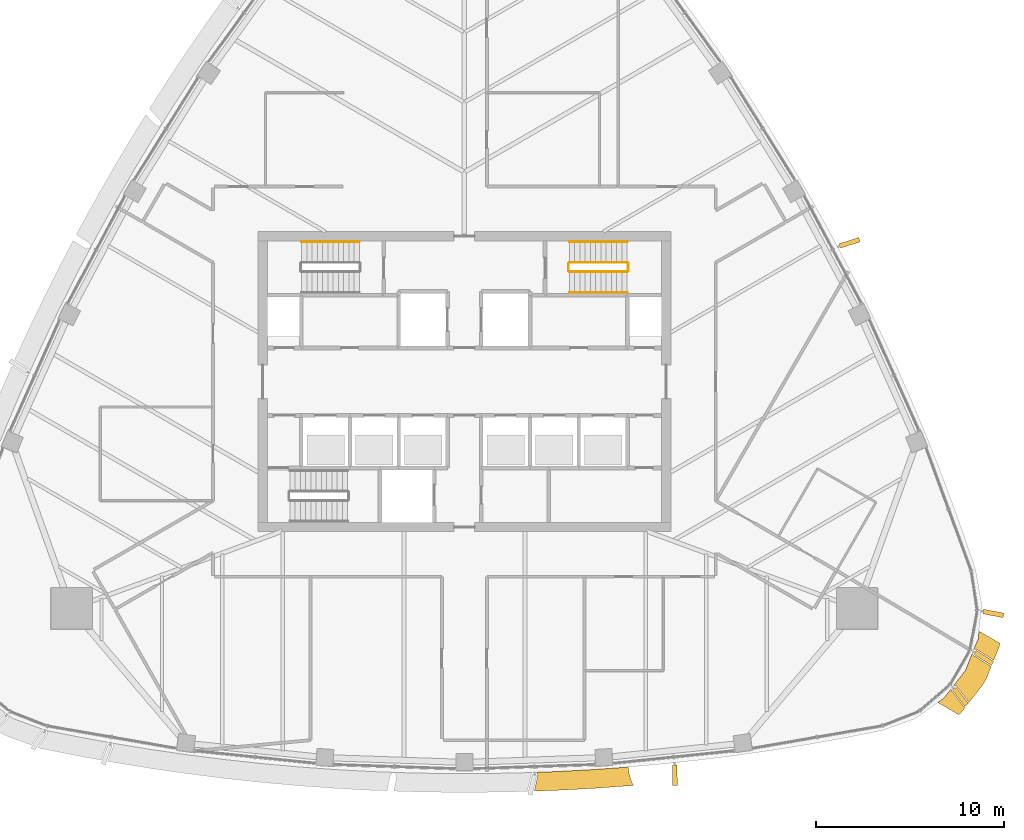
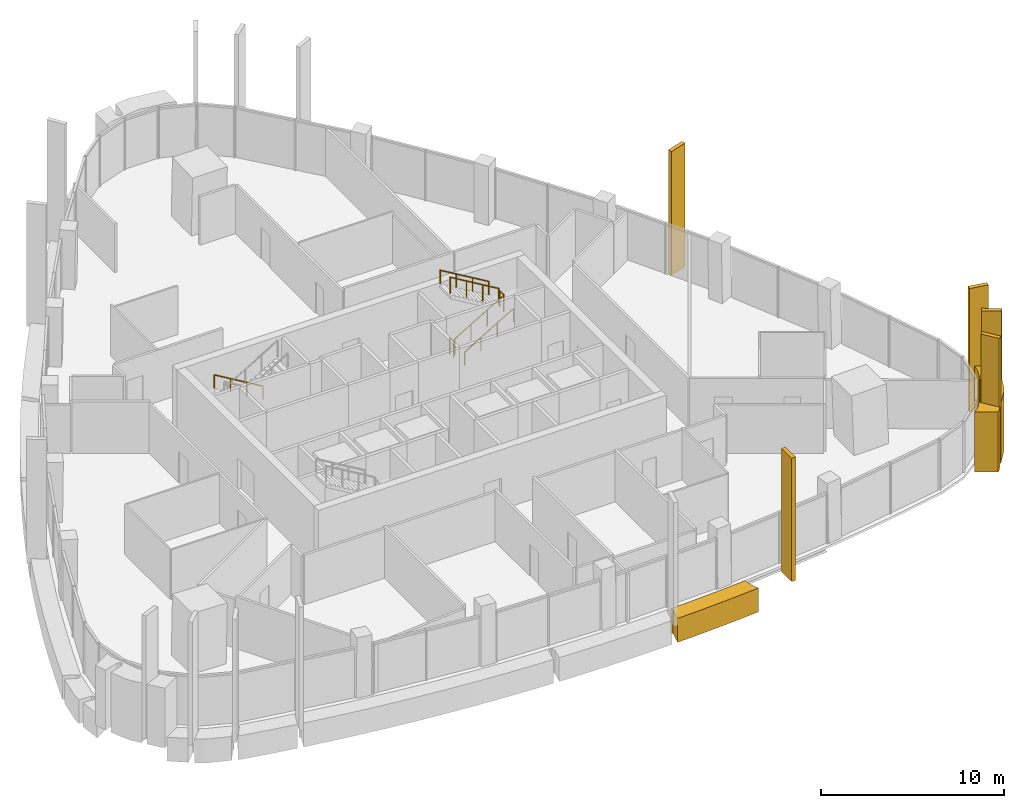
# One storey, part 16 of 18: 9 coverings, 7 railings.
"""IFC4 building model written with IfcOpenShell, lengths in metres."""

import ifcopenshell
import ifcopenshell.guid

model = None  # the IFC model being written
_history = None  # IfcOwnerHistory: only IFC2X3 demands one
_inside = {}  # id of a spatial element -> (the spatial element, [elements in it])
_under = {}  # id of a project, library or spatial element -> (it, [spatial elements below it])
_declared = {}  # id of a project -> (the project, [libraries it declares])
_typed = {}  # id of a type object -> (the type object, [elements of that type])
_made_of = {}  # id of a material, layer set ... -> (it, [elements and type objects made of it])


def new_model(schema):
    """Start an empty IFC model of exactly this schema.

    Asked for "IFC4X3", IfcOpenShell would pick the latest addendum, in which some entities
    have other attributes; the version numbers below select the first issue.
    IFC2X3 requires an IfcOwnerHistory on every rooted entity: one is made here for all.
    """
    global model, _history
    if schema == "IFC4X3":
        model = ifcopenshell.file(schema_version=(4, 3, 0, 0))
    else:
        model = ifcopenshell.file(schema=schema)
    _inside.clear()
    _under.clear()
    _declared.clear()
    _typed.clear()
    _made_of.clear()
    _history = None
    if model.schema == "IFC2X3":
        org = make("IfcOrganization", Name="unknown")
        user = make(
            "IfcPersonAndOrganization",
            ThePerson=make("IfcPerson", FamilyName="unknown"),
            TheOrganization=org,
        )
        app = make(
            "IfcApplication",
            ApplicationDeveloper=org,
            Version="unknown",
            ApplicationFullName="unknown",
            ApplicationIdentifier="unknown",
        )
        _history = make(
            "IfcOwnerHistory",
            OwningUser=user,
            OwningApplication=app,
            ChangeAction="ADDED",
            CreationDate=0,
        )
    return model


def make(cls, **values):
    """One entity of the class cls with the attributes given. An attribute that is None is left unset."""
    return model.create_entity(
        cls, **{name: value for name, value in values.items() if value is not None}
    )


def rooted(cls, **values):
    """An entity with a GlobalId (a new one), such as an element, a storey or a relation."""
    return make(cls, GlobalId=ifcopenshell.guid.new(), OwnerHistory=_history, **values)


def si_unit(unit_type, name, prefix=None):
    """IfcSIUnit, for example si_unit("LENGTHUNIT", "METRE", prefix="MILLI")."""
    return make("IfcSIUnit", UnitType=unit_type, Prefix=prefix, Name=name)


def assignment(units):
    """IfcUnitAssignment: the units of a project."""
    return None if units is None else make("IfcUnitAssignment", Units=units)


def point(xyz):
    """IfcCartesianPoint."""
    return None if xyz is None else make("IfcCartesianPoint", Coordinates=xyz)


def direction(xyz):
    """IfcDirection."""
    return None if xyz is None else make("IfcDirection", DirectionRatios=xyz)


def frame(location, z_axis=None, x_axis=None):
    """IfcAxis2Placement3D, a coordinate frame: its origin and axes. An axis left out is left unset."""
    return make(
        "IfcAxis2Placement3D",
        Location=point(location),
        Axis=direction(z_axis),
        RefDirection=direction(x_axis),
    )


def frame_2d(location, x_axis=None):
    """IfcAxis2Placement2D, a coordinate frame in the plane: its origin and x axis."""
    return make(
        "IfcAxis2Placement2D", Location=point(location), RefDirection=direction(x_axis)
    )


def origin():
    """The frame at (0, 0, 0) with its axes left unset."""
    return frame((0.0, 0.0, 0.0))


def origin_2d():
    """The frame at (0, 0) in the plane with its x axis left unset."""
    return frame_2d((0.0, 0.0))


def place(relative_to, where):
    """IfcLocalPlacement: puts the frame where relative to a parent placement (None: the world)."""
    return make(
        "IfcLocalPlacement", PlacementRelTo=relative_to, RelativePlacement=where
    )


def context(
    kind, dimensions, precision=None, world=None, true_north=None, identifier=None
):
    """IfcGeometricRepresentationContext, for example the 3D "Model" context."""
    return make(
        "IfcGeometricRepresentationContext",
        ContextIdentifier=identifier,
        ContextType=kind,
        CoordinateSpaceDimension=dimensions,
        Precision=precision,
        WorldCoordinateSystem=world,
        TrueNorth=true_north,
    )


def subcontext(parent, identifier, kind, view, scale=None):
    """IfcGeometricRepresentationSubContext, for example "Body" below "Model"."""
    return make(
        "IfcGeometricRepresentationSubContext",
        ContextIdentifier=identifier,
        ContextType=kind,
        ParentContext=parent,
        TargetScale=scale,
        TargetView=view,
    )


def project(units=None, contexts=None):
    """IfcProject with its units and contexts."""
    return rooted(
        "IfcProject",
        Name="project",
        RepresentationContexts=contexts,
        UnitsInContext=assignment(units),
    )


def spatial(cls, under=None, at=None, **own):
    """A site, building, storey or space (cls), placed at a placement, below another one or the project."""
    s = rooted(cls, ObjectPlacement=at, **own)
    if under is not None:
        _under.setdefault(under.id(), (under, []))[1].append(s)
    return s


def polyline(points):
    """IfcPolyline through the points."""
    return make("IfcPolyline", Points=[point(p) for p in points])


def profile(cls, at=None, kind="AREA", **sizes):
    """A parametric profile (cls). Its sizes go by their IFC names, for example OverallWidth=200.0."""
    return make(cls, ProfileType=kind, Position=at, **sizes)


def rectangle(**sizes):
    """IfcRectangleProfileDef."""
    return profile("IfcRectangleProfileDef", **sizes)


def circle(**sizes):
    """IfcCircleProfileDef."""
    return profile("IfcCircleProfileDef", **sizes)


def outline(outer, holes=None, kind="AREA"):
    """IfcArbitraryClosedProfileDef: a profile drawn as a closed curve; with holes, ...WithVoids."""
    if holes is None:
        return make("IfcArbitraryClosedProfileDef", ProfileType=kind, OuterCurve=outer)
    return make(
        "IfcArbitraryProfileDefWithVoids",
        ProfileType=kind,
        OuterCurve=outer,
        InnerCurves=holes,
    )


def extrude(swept, where, along, depth):
    """IfcExtrudedAreaSolid: the profile swept, set in the frame where, extruded along a direction by depth."""
    return make(
        "IfcExtrudedAreaSolid",
        SweptArea=swept,
        Position=where,
        ExtrudedDirection=direction(along),
        Depth=depth,
    )


def shape(context_of_items, identifier, shape_type, items):
    """IfcShapeRepresentation: the items that make up one representation, for example the "Body"."""
    return make(
        "IfcShapeRepresentation",
        ContextOfItems=context_of_items,
        RepresentationIdentifier=identifier,
        RepresentationType=shape_type,
        Items=items,
    )


def material(Name=None, Category=None):
    """IfcMaterial."""
    return make("IfcMaterial", Name=Name, Category=Category)


def layer(
    of_material, thickness, ventilated=None, Name=None, Category=None, Priority=None
):
    """IfcMaterialLayer: one layer of a wall or slab, of a material (None: an air gap)."""
    return make(
        "IfcMaterialLayer",
        Material=of_material,
        LayerThickness=thickness,
        IsVentilated=ventilated,
        Name=Name,
        Category=Category,
        Priority=Priority,
    )


def layer_set(layers, Name=None):
    """IfcMaterialLayerSet."""
    return make("IfcMaterialLayerSet", MaterialLayers=layers, LayerSetName=Name)


def material_profile(
    of_material, cross_section, Name=None, Category=None, Priority=None
):
    """IfcMaterialProfile: a cross section and its material."""
    return make(
        "IfcMaterialProfile",
        Name=Name,
        Material=of_material,
        Profile=cross_section,
        Priority=Priority,
        Category=Category,
    )


def profile_set(profiles, Name=None, composite=None):
    """IfcMaterialProfileSet."""
    return make(
        "IfcMaterialProfileSet",
        Name=Name,
        MaterialProfiles=profiles,
        CompositeProfile=composite,
    )


def made_of(thing, what):
    """Note that an element or type object is made of a material, layer set ...; save() writes the relation."""
    if what is not None:
        _made_of.setdefault(what.id(), (what, []))[1].append(thing)
    return thing


def type_object(cls, material=None, **own):
    """A type object (cls), such as IfcWallType, which elements share."""
    return made_of(rooted(cls, **own), material)


def element(
    cls,
    number,
    at=None,
    inside=None,
    cuts=None,
    type_object=None,
    material=None,
    context=None,
    identifier="Body",
    shape_type=None,
    held_by="IfcProductDefinitionShape",
    body=None,
    shapes=None,
    **own,
):
    """One element of the class cls, such as IfcWall. Its Tag is "e" and its number.

    at: its placement. inside: the storey or other place that contains it. cuts: it is an
    opening in that element (IfcRelVoidsElement). A single representation is given by context,
    identifier, shape_type and body (its items); several are given by shapes. held_by: the class
    of the entity that holds the representations. save() writes the other relations.
    """
    e = rooted(cls, Tag="e%d" % number, ObjectPlacement=at, **own)
    if body is not None:
        shapes = [shape(context, identifier, shape_type, body)]
    if shapes is not None:
        e.Representation = make(held_by, Representations=shapes)
    if inside is not None:
        _inside.setdefault(inside.id(), (inside, []))[1].append(e)
    if cuts is not None:
        rooted(
            "IfcRelVoidsElement", RelatingBuildingElement=cuts, RelatedOpeningElement=e
        )
    if type_object is not None:
        _typed.setdefault(type_object.id(), (type_object, []))[1].append(e)
    return made_of(e, material)


def aggregate(whole, parts):
    """IfcRelAggregates: a whole, such as a stair, and the parts it consists of."""
    return rooted("IfcRelAggregates", RelatingObject=whole, RelatedObjects=parts)


def save(model, path):
    """Write the relations noted so far, then the file.

    IfcRelAggregates (storeys below a building ...), IfcRelContainedInSpatialStructure (elements
    in a storey), IfcRelDefinesByType, IfcRelAssociatesMaterial and IfcRelDeclares: one each for
    every whole, place, type object, material and project.
    """
    for whole, parts in _under.values():
        aggregate(whole, parts)
    for where, things in _inside.values():
        rooted(
            "IfcRelContainedInSpatialStructure",
            RelatedElements=things,
            RelatingStructure=where,
        )
    for kind, things in _typed.values():
        rooted("IfcRelDefinesByType", RelatedObjects=things, RelatingType=kind)
    for what, things in _made_of.values():
        rooted("IfcRelAssociatesMaterial", RelatedObjects=things, RelatingMaterial=what)
    for by, libraries in _declared.values():
        rooted("IfcRelDeclares", RelatingContext=by, RelatedDefinitions=libraries)
    model.write(path)


model = new_model("IFC4")

# Units and contexts
model_context = context("Model", 3, precision=1e-05, world=origin(), true_north=direction((0.0, 1.0)))
body_context = subcontext(model_context, "Body", "Model", "MODEL_VIEW")
ifc_project = project(units=[si_unit("LENGTHUNIT", "METRE"), si_unit("AREAUNIT", "SQUARE_METRE"), si_unit("VOLUMEUNIT", "CUBIC_METRE"), si_unit("PLANEANGLEUNIT", "RADIAN"), si_unit("MASSUNIT", "GRAM", prefix="KILO")], contexts=[model_context])

# Site, building, storey
site_placement = place(None, origin())
site = spatial("IfcSite", under=ifc_project, at=site_placement, CompositionType="ELEMENT")
building_placement = place(site_placement, origin())
building = spatial("IfcBuilding", under=site, at=building_placement, Name="Sierra Prisma Convention Tower", CompositionType="ELEMENT")
storey_placement = place(building_placement, frame((0.0, 0.0, 279.0)))
storey = spatial("IfcBuildingStorey", under=building, at=storey_placement, Name="L63", CompositionType="ELEMENT", Elevation=279.0)

# Coverings
ifc_material_1 = material(Name="Aluminium composite bronze anodised", Category="aluminium")
ifc_layer_1 = layer(ifc_material_1, 1.199951171875)
ifc_layer_set_1 = layer_set([ifc_layer_1], Name="Bronze corner pier")
covering_type_1 = type_object("IfcCoveringType", Name="Bronze corner pier", PredefinedType="CLADDING", material=ifc_layer_set_1)
covering_1_placement = place(storey_placement, frame((0.0, 0.0, -0.60009765625)))
element("IfcCovering", 1, at=covering_1_placement, inside=storey, type_object=covering_type_1, Name="Corner pier SE L63.1", PredefinedType="CLADDING", context=body_context, shape_type="SweptSolid", body=[
    extrude(outline(polyline([(27.0673828125, -14.4921875), (27.11181640625, -14.565185546875), (27.114501953125, -14.569091796875), (27.1171875, -14.572509765625), (27.12060546875, -14.575927734375), (27.124267578125, -14.578857421875), (27.1279296875, -14.58154296875), (28.061279296875, -15.163818359375), (28.0654296875, -15.166259765625), (28.06982421875, -15.168212890625), (28.07470703125, -15.169921875), (28.079345703125, -15.1708984375), (28.084228515625, -15.17138671875), (28.08740234375, -15.17138671875), (27.808837890625, -15.86181640625), (27.64111328125, -16.15234375), (26.893798828125, -17.10791015625), (26.24951171875, -16.251953125), (26.246337890625, -16.248291015625), (26.242919921875, -16.24462890625), (26.239013671875, -16.24169921875), (26.23486328125, -16.239013671875), (26.230224609375, -16.236572265625), (26.2255859375, -16.234619140625), (26.220947265625, -16.2333984375), (26.080078125, -16.200439453125), (26.696044921875, -15.412841796875), (27.0673828125, -14.4921875)])), origin(), (0.0, 0.0, 1.0), 4.0),
])
covering_2_placement = place(storey_placement, frame((0.0, 0.0, -0.60009765625)))
element("IfcCovering", 2, at=covering_2_placement, inside=storey, type_object=covering_type_1, Name="Corner pier SE L63.2", PredefinedType="CLADDING", context=body_context, shape_type="SweptSolid", body=[
    extrude(outline(polyline([(27.29150390625, -14.277099609375), (27.286865234375, -14.277099609375), (27.2822265625, -14.277099609375), (27.149169921875, -14.28955078125), (27.388916015625, -13.695068359375), (27.43017578125, -13.29638671875), (28.551513671875, -13.94384765625), (28.501708984375, -14.14404296875), (28.217529296875, -14.848876953125), (27.313232421875, -14.28466796875), (27.30908203125, -14.2822265625), (27.304931640625, -14.280517578125), (27.300537109375, -14.279052734375), (27.296142578125, -14.27783203125), (27.29150390625, -14.277099609375)])), origin(), (0.0, 0.0, 1.0), 4.0),
])
covering_3_placement = place(storey_placement, frame((0.0, 0.0, -0.60009765625)))
element("IfcCovering", 3, at=covering_3_placement, inside=storey, type_object=covering_type_1, Name="Corner pier SE L63.3", PredefinedType="CLADDING", context=body_context, shape_type="SweptSolid", body=[
    extrude(outline(polyline([(26.634521484375, -17.34521484375), (26.637939453125, -17.3486328125), (26.641845703125, -17.3515625), (26.64599609375, -17.354248046875), (26.650390625, -17.356689453125), (26.65478515625, -17.3583984375), (26.659423828125, -17.35986328125), (26.664306640625, -17.36083984375), (26.669189453125, -17.361083984375), (26.67431640625, -17.361083984375), (26.678955078125, -17.360595703125), (26.683837890625, -17.359619140625), (26.6884765625, -17.358154296875), (26.693115234375, -17.356201171875), (26.697509765625, -17.35400390625), (26.701416015625, -17.351318359375), (26.706298828125, -17.34765625), (26.5, -17.611328125), (26.3515625, -17.75439453125), (25.22998046875, -17.10693359375), (25.5546875, -16.8720703125), (25.94482421875, -16.373291015625), (25.961181640625, -16.443603515625), (25.962646484375, -16.44873046875), (25.964599609375, -16.45361328125), (25.967041015625, -16.4580078125), (25.969970703125, -16.46240234375), (26.63134765625, -17.34130859375), (26.634521484375, -17.34521484375)])), origin(), (0.0, 0.0, 1.0), 4.0),
])
ifc_material_2 = material(Name="Aluminium 6063-T6 bronze anodised", Category="aluminium")
ifc_material_profile = material_profile(ifc_material_2, rectangle(XDim=1.10009765625, YDim=0.25, at=origin_2d()), Name="ALU FIN 1100x250")
ifc_profile_set = profile_set([ifc_material_profile], Name="Aluminium 6063-T6 bronze anodised")
covering_type_2 = type_object("IfcCoveringType", Name="Bronze facade fin", PredefinedType="CLADDING", material=ifc_profile_set)
for number, where, z_axis, x_axis, name in (
    (4, (11.21875, -20.984130859375, -0.300048828125), (0.0, 0.0, 1.0), (0.020259235087, -0.999794760635, 0.0), "Fin L63.14"),
    (5, (26.4404296875, -16.796630859375, -0.300048828125), (0.0, 0.0, 1.0), (0.601369566122, -0.798970991302, 0.0), "Fin L63.20"),
    (6, (27.687255859375, -14.724365234375, -0.300048828125), (0.0, 0.0, 1.0), (0.848343476665, -0.529446263184, 0.0), "Fin L63.21"),
    (7, (28.19873046875, -12.357177734375, -0.300048828125), (0.0, 0.0, 1.0), (0.981945026656, -0.189166499742, 0.0), "Fin L63.22"),
    (8, (20.534423828125, 7.40087890625, -0.300048828125), (0.0, 0.0, 1.0), (0.951345270599, 0.308126883133, 0.0), "Fin L63.30"),
):
    element("IfcCovering", number, at=place(storey_placement, frame(where, z_axis=z_axis, x_axis=x_axis)), inside=storey, type_object=covering_type_2, Name=name, ObjectType="FIN", PredefinedType="CLADDING", context=body_context, shape_type="SweptSolid", body=[
        extrude(rectangle(XDim=1.10009765625, YDim=0.25, at=origin_2d()), origin(), (0.0, 0.0, 1.0), 8.25),
    ])
ifc_material_3 = material(Name="Aluminium composite bronze anodised", Category="aluminium")
ifc_layer_2 = layer(ifc_material_3, 1.0)
ifc_layer_set_2 = layer_set([ifc_layer_2], Name="Bronze spandrel band")
covering_type_3 = type_object("IfcCoveringType", Name="Bronze spandrel band", PredefinedType="CLADDING", material=ifc_layer_set_2)
covering_4_placement = place(storey_placement, frame((0.0, 0.0, -1.60009765625)))
element("IfcCovering", 9, at=covering_4_placement, inside=storey, type_object=covering_type_3, Name="Spandrel band L63.11", PredefinedType="CLADDING", context=body_context, shape_type="SweptSolid", body=[
    extrude(outline(polyline([(3.9091796875, -20.951171875), (3.84375, -20.822265625), (4.88330078125, -20.784912109375), (6.83447265625, -20.679931640625), (8.73291015625, -20.54345703125), (8.740478515625, -20.617919921875), (8.7783203125, -20.86279296875), (8.83984375, -21.10302734375), (8.924560546875, -21.336181640625), (9.014404296875, -21.523193359375), (8.872802734375, -21.535888671875), (8.85498046875, -21.537353515625), (6.906005859375, -21.67724609375), (6.88818359375, -21.678466796875), (4.93701171875, -21.783447265625), (4.919189453125, -21.7841796875), (3.719970703125, -21.8271484375), (3.91357421875, -20.985107421875), (3.914306640625, -20.980224609375), (3.914794921875, -20.97509765625), (3.91455078125, -20.97021484375), (3.9140625, -20.96533203125), (3.912841796875, -20.96044921875), (3.911376953125, -20.955810546875), (3.9091796875, -20.951171875)])), origin(), (0.0, 0.0, 1.0), 1.60009765625),
])

# Railings
ifc_material_4 = material(Name="Stainless steel", Category="steel")
railing_type_1 = type_object("IfcRailingType", Name="Exit stair handrail", PredefinedType="HANDRAIL", material=ifc_material_4)
railing_1_placement = place(storey_placement, frame((-5.60009765625, 7.449951171875, 0.166748046875)))
element("IfcRailing", 10, at=railing_1_placement, inside=storey, type_object=railing_type_1, Name="L63 S3 stair handrail 1", PredefinedType="HANDRAIL", context=body_context, shape_type="SweptSolid", body=[
    extrude(circle(Radius=0.02392578125, at=origin_2d()), frame((0.0, 0.0, 0.8759765625), z_axis=(-0.859290745958, 0.0, 0.51148745235), x_axis=(0.0, -1.0, 0.0)), (0.0, 0.0, 1.0), 3.584228515625),
    extrude(circle(Radius=0.02099609375, at=origin_2d()), origin(), (0.0, 0.0, 1.0), 0.851806640625),
    extrude(circle(Radius=0.02099609375, at=origin_2d()), frame((-1.026611328125, 0.0, 0.611083984375)), (0.0, 0.0, 1.0), 0.851806640625),
    extrude(circle(Radius=0.02099609375, at=origin_2d()), frame((-2.05322265625, 0.0, 1.22216796875)), (0.0, 0.0, 1.0), 0.851806640625),
    extrude(circle(Radius=0.02099609375, at=origin_2d()), frame((-3.079833984375, 0.0, 1.833251953125)), (0.0, 0.0, 1.0), 0.851806640625),
])
railing_2_placement = place(storey_placement, frame((5.60009765625, 4.75, 0.166748046875)))
element("IfcRailing", 11, at=railing_2_placement, inside=storey, type_object=railing_type_1, Name="L63 S4 stair handrail 1", PredefinedType="HANDRAIL", context=body_context, shape_type="SweptSolid", body=[
    extrude(circle(Radius=0.02392578125, at=origin_2d()), frame((0.0, 0.0, 0.8759765625), z_axis=(0.859290745958, 0.0, 0.51148745235), x_axis=(0.0, 1.0, 0.0)), (0.0, 0.0, 1.0), 3.584228515625),
    extrude(circle(Radius=0.02099609375, at=origin_2d()), origin(), (0.0, 0.0, 1.0), 0.851806640625),
    extrude(circle(Radius=0.02099609375, at=origin_2d()), frame((1.026611328125, 0.0, 0.611083984375)), (0.0, 0.0, 1.0), 0.851806640625),
    extrude(circle(Radius=0.02099609375, at=origin_2d()), frame((2.05322265625, 0.0, 1.22216796875)), (0.0, 0.0, 1.0), 0.851806640625),
    extrude(circle(Radius=0.02099609375, at=origin_2d()), frame((3.079833984375, 0.0, 1.833251953125)), (0.0, 0.0, 1.0), 0.851806640625),
])
railing_3_placement = place(storey_placement, frame((8.679931640625, 7.449951171875, 2.166748046875)))
element("IfcRailing", 12, at=railing_3_placement, inside=storey, type_object=railing_type_1, Name="L63 S4 stair handrail 2", PredefinedType="HANDRAIL", context=body_context, shape_type="SweptSolid", body=[
    extrude(circle(Radius=0.02392578125, at=origin_2d()), frame((0.0, 0.0, 0.8759765625), z_axis=(-0.859290745958, 0.0, 0.51148745235), x_axis=(0.0, -1.0, 0.0)), (0.0, 0.0, 1.0), 3.584228515625),
    extrude(circle(Radius=0.02099609375, at=origin_2d()), origin(), (0.0, 0.0, 1.0), 0.851806640625),
    extrude(circle(Radius=0.02099609375, at=origin_2d()), frame((-1.026611328125, 0.0, 0.611083984375)), (0.0, 0.0, 1.0), 0.851806640625),
    extrude(circle(Radius=0.02099609375, at=origin_2d()), frame((-2.05322265625, 0.0, 1.22216796875)), (0.0, 0.0, 1.0), 0.851806640625),
    extrude(circle(Radius=0.02099609375, at=origin_2d()), frame((-3.079833984375, 0.0, 1.833251953125)), (0.0, 0.0, 1.0), 0.851806640625),
])
ifc_material_5 = material(Name="Stainless steel", Category="steel")
railing_type_2 = type_object("IfcRailingType", Name="Stair guard 1100", PredefinedType="GUARDRAIL", material=ifc_material_5)
railing_4_placement = place(storey_placement, frame((5.60009765625, 5.85009765625, 0.166748046875)))
element("IfcRailing", 13, at=railing_4_placement, inside=storey, type_object=railing_type_2, Name="L63 S4 stair guard 1", PredefinedType="GUARDRAIL", context=body_context, shape_type="SweptSolid", body=[
    extrude(circle(Radius=0.02392578125, at=origin_2d()), frame((0.0, 0.0, 1.076171875), z_axis=(0.859290745958, 0.0, 0.51148745235), x_axis=(0.0, 1.0, 0.0)), (0.0, 0.0, 1.0), 3.584228515625),
    extrude(circle(Radius=0.02099609375, at=origin_2d()), origin(), (0.0, 0.0, 1.0), 1.052001953125),
    extrude(circle(Radius=0.02099609375, at=origin_2d()), frame((1.026611328125, 0.0, 0.611083984375)), (0.0, 0.0, 1.0), 1.052001953125),
    extrude(circle(Radius=0.02099609375, at=origin_2d()), frame((2.05322265625, 0.0, 1.22216796875)), (0.0, 0.0, 1.0), 1.052001953125),
    extrude(circle(Radius=0.02099609375, at=origin_2d()), frame((3.079833984375, 0.0, 1.833251953125)), (0.0, 0.0, 1.0), 1.052001953125),
])
railing_5_placement = place(storey_placement, frame((8.72998046875, 5.89990234375, 2.0)))
element("IfcRailing", 14, at=railing_5_placement, inside=storey, type_object=railing_type_2, Name="L63 S4 stair guard 2", PredefinedType="GUARDRAIL", context=body_context, shape_type="SweptSolid", body=[
    extrude(circle(Radius=0.02392578125, at=origin_2d()), frame((0.0, 0.0, 1.076171875), z_axis=(0.0, 1.0, 0.0), x_axis=(-1.0, 0.0, 0.0)), (0.0, 0.0, 1.0), 0.400146484375),
    extrude(circle(Radius=0.02099609375, at=origin_2d()), origin(), (0.0, 0.0, 1.0), 1.052001953125),
    extrude(circle(Radius=0.02099609375, at=origin_2d()), frame((0.0, 0.400146484375, 0.0)), (0.0, 0.0, 1.0), 1.052001953125),
])
railing_6_placement = place(storey_placement, frame((8.679931640625, 6.35009765625, 2.166748046875)))
element("IfcRailing", 15, at=railing_6_placement, inside=storey, type_object=railing_type_2, Name="L63 S4 stair guard 3", PredefinedType="GUARDRAIL", context=body_context, shape_type="SweptSolid", body=[
    extrude(circle(Radius=0.02392578125, at=origin_2d()), frame((0.0, 0.0, 1.076171875), z_axis=(-0.859290745958, 0.0, 0.51148745235), x_axis=(0.0, -1.0, 0.0)), (0.0, 0.0, 1.0), 3.584228515625),
    extrude(circle(Radius=0.02099609375, at=origin_2d()), origin(), (0.0, 0.0, 1.0), 1.052001953125),
    extrude(circle(Radius=0.02099609375, at=origin_2d()), frame((-1.026611328125, 0.0, 0.611083984375)), (0.0, 0.0, 1.0), 1.052001953125),
    extrude(circle(Radius=0.02099609375, at=origin_2d()), frame((-2.05322265625, 0.0, 1.22216796875)), (0.0, 0.0, 1.0), 1.052001953125),
    extrude(circle(Radius=0.02099609375, at=origin_2d()), frame((-3.079833984375, 0.0, 1.833251953125)), (0.0, 0.0, 1.0), 1.052001953125),
])
railing_7_placement = place(storey_placement, frame((5.550048828125, 5.89990234375, 0.0)))
element("IfcRailing", 16, at=railing_7_placement, inside=storey, type_object=railing_type_2, Name="L63 S4 stair guard 4", PredefinedType="GUARDRAIL", context=body_context, shape_type="SweptSolid", body=[
    extrude(circle(Radius=0.02392578125, at=origin_2d()), frame((0.0, 0.0, 1.076171875), z_axis=(0.0, 1.0, 0.0), x_axis=(-1.0, 0.0, 0.0)), (0.0, 0.0, 1.0), 0.400146484375),
    extrude(circle(Radius=0.02099609375, at=origin_2d()), origin(), (0.0, 0.0, 1.0), 1.052001953125),
    extrude(circle(Radius=0.02099609375, at=origin_2d()), frame((0.0, 0.400146484375, 0.0)), (0.0, 0.0, 1.0), 1.052001953125),
])

save(model, "model.ifc")
